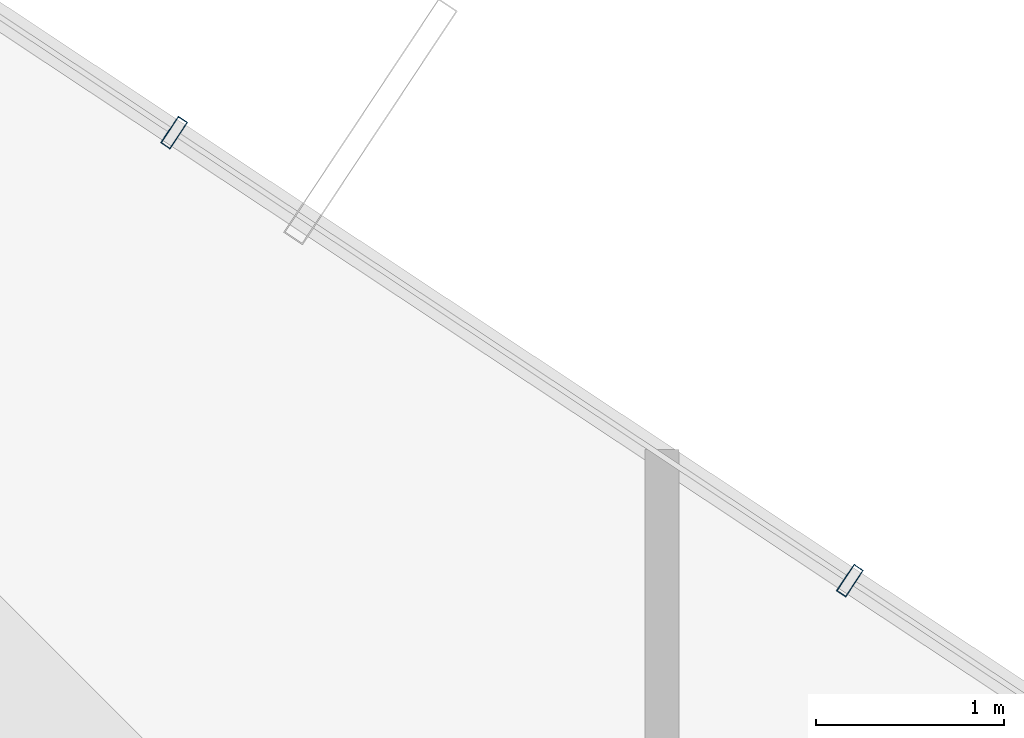
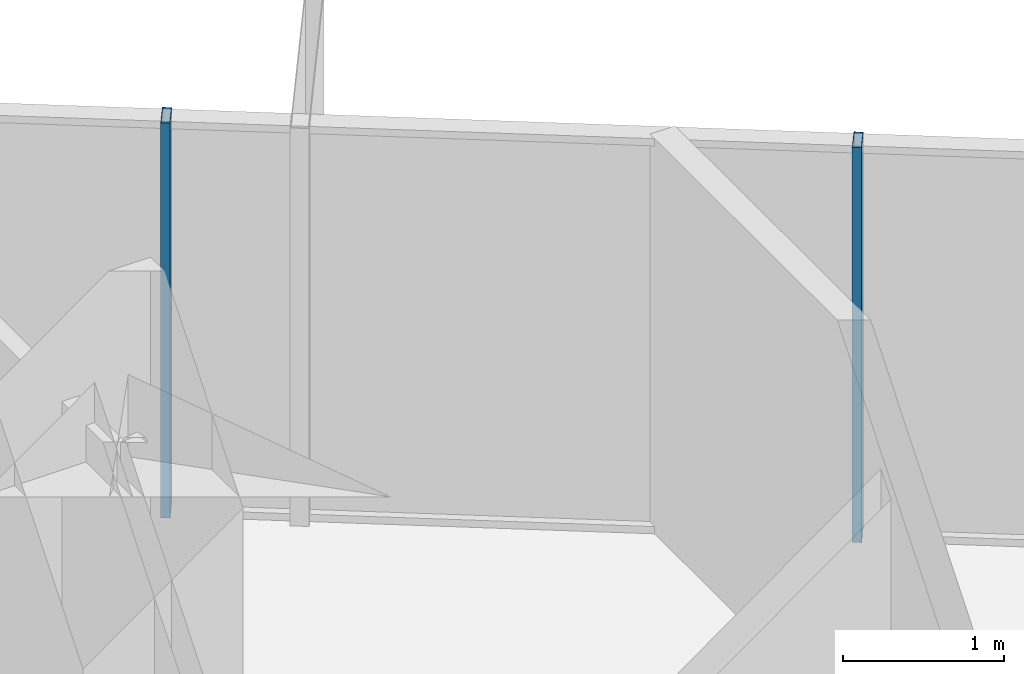
# One storey, part 21 of 30: 2 members, 1 element without a shape of its own.
"""IFC4 building model written with IfcOpenShell, lengths in metres."""

import ifcopenshell
import ifcopenshell.guid

model = None  # the IFC model being written
_history = None  # IfcOwnerHistory: only IFC2X3 demands one
_inside = {}  # id of a spatial element -> (the spatial element, [elements in it])
_under = {}  # id of a project, library or spatial element -> (it, [spatial elements below it])
_declared = {}  # id of a project -> (the project, [libraries it declares])
_typed = {}  # id of a type object -> (the type object, [elements of that type])
_made_of = {}  # id of a material, layer set ... -> (it, [elements and type objects made of it])


def new_model(schema):
    """Start an empty IFC model of exactly this schema.

    Asked for "IFC4X3", IfcOpenShell would pick the latest addendum, in which some entities
    have other attributes; the version numbers below select the first issue.
    IFC2X3 requires an IfcOwnerHistory on every rooted entity: one is made here for all.
    """
    global model, _history
    if schema == "IFC4X3":
        model = ifcopenshell.file(schema_version=(4, 3, 0, 0))
    else:
        model = ifcopenshell.file(schema=schema)
    _inside.clear()
    _under.clear()
    _declared.clear()
    _typed.clear()
    _made_of.clear()
    _history = None
    if model.schema == "IFC2X3":
        org = make("IfcOrganization", Name="unknown")
        user = make(
            "IfcPersonAndOrganization",
            ThePerson=make("IfcPerson", FamilyName="unknown"),
            TheOrganization=org,
        )
        app = make(
            "IfcApplication",
            ApplicationDeveloper=org,
            Version="unknown",
            ApplicationFullName="unknown",
            ApplicationIdentifier="unknown",
        )
        _history = make(
            "IfcOwnerHistory",
            OwningUser=user,
            OwningApplication=app,
            ChangeAction="ADDED",
            CreationDate=0,
        )
    return model


def make(cls, **values):
    """One entity of the class cls with the attributes given. An attribute that is None is left unset."""
    return model.create_entity(
        cls, **{name: value for name, value in values.items() if value is not None}
    )


def rooted(cls, **values):
    """An entity with a GlobalId (a new one), such as an element, a storey or a relation."""
    return make(cls, GlobalId=ifcopenshell.guid.new(), OwnerHistory=_history, **values)


def si_unit(unit_type, name, prefix=None):
    """IfcSIUnit, for example si_unit("LENGTHUNIT", "METRE", prefix="MILLI")."""
    return make("IfcSIUnit", UnitType=unit_type, Prefix=prefix, Name=name)


def assignment(units):
    """IfcUnitAssignment: the units of a project."""
    return None if units is None else make("IfcUnitAssignment", Units=units)


def point(xyz):
    """IfcCartesianPoint."""
    return None if xyz is None else make("IfcCartesianPoint", Coordinates=xyz)


def direction(xyz):
    """IfcDirection."""
    return None if xyz is None else make("IfcDirection", DirectionRatios=xyz)


def frame(location, z_axis=None, x_axis=None):
    """IfcAxis2Placement3D, a coordinate frame: its origin and axes. An axis left out is left unset."""
    return make(
        "IfcAxis2Placement3D",
        Location=point(location),
        Axis=direction(z_axis),
        RefDirection=direction(x_axis),
    )


def frame_2d(location, x_axis=None):
    """IfcAxis2Placement2D, a coordinate frame in the plane: its origin and x axis."""
    return make(
        "IfcAxis2Placement2D", Location=point(location), RefDirection=direction(x_axis)
    )


def origin():
    """The frame at (0, 0, 0) with its axes left unset."""
    return frame((0.0, 0.0, 0.0))


def origin_2d():
    """The frame at (0, 0) in the plane with its x axis left unset."""
    return frame_2d((0.0, 0.0))


def place(relative_to, where):
    """IfcLocalPlacement: puts the frame where relative to a parent placement (None: the world)."""
    return make(
        "IfcLocalPlacement", PlacementRelTo=relative_to, RelativePlacement=where
    )


def context(
    kind, dimensions, precision=None, world=None, true_north=None, identifier=None
):
    """IfcGeometricRepresentationContext, for example the 3D "Model" context."""
    return make(
        "IfcGeometricRepresentationContext",
        ContextIdentifier=identifier,
        ContextType=kind,
        CoordinateSpaceDimension=dimensions,
        Precision=precision,
        WorldCoordinateSystem=world,
        TrueNorth=true_north,
    )


def subcontext(parent, identifier, kind, view, scale=None):
    """IfcGeometricRepresentationSubContext, for example "Body" below "Model"."""
    return make(
        "IfcGeometricRepresentationSubContext",
        ContextIdentifier=identifier,
        ContextType=kind,
        ParentContext=parent,
        TargetScale=scale,
        TargetView=view,
    )


def project(units=None, contexts=None):
    """IfcProject with its units and contexts."""
    return rooted(
        "IfcProject",
        Name="project",
        RepresentationContexts=contexts,
        UnitsInContext=assignment(units),
    )


def spatial(cls, under=None, at=None, **own):
    """A site, building, storey or space (cls), placed at a placement, below another one or the project."""
    s = rooted(cls, ObjectPlacement=at, **own)
    if under is not None:
        _under.setdefault(under.id(), (under, []))[1].append(s)
    return s


def profile(cls, at=None, kind="AREA", **sizes):
    """A parametric profile (cls). Its sizes go by their IFC names, for example OverallWidth=200.0."""
    return make(cls, ProfileType=kind, Position=at, **sizes)


def hollow_rectangle(**sizes):
    """IfcRectangleHollowProfileDef."""
    return profile("IfcRectangleHollowProfileDef", **sizes)


def extrude(swept, where, along, depth):
    """IfcExtrudedAreaSolid: the profile swept, set in the frame where, extruded along a direction by depth."""
    return make(
        "IfcExtrudedAreaSolid",
        SweptArea=swept,
        Position=where,
        ExtrudedDirection=direction(along),
        Depth=depth,
    )


def shape(context_of_items, identifier, shape_type, items):
    """IfcShapeRepresentation: the items that make up one representation, for example the "Body"."""
    return make(
        "IfcShapeRepresentation",
        ContextOfItems=context_of_items,
        RepresentationIdentifier=identifier,
        RepresentationType=shape_type,
        Items=items,
    )


def source(mapping_origin, context_of_items, identifier, shape_type, items):
    """IfcRepresentationMap: a shape defined once, which mapped items show again and again."""
    return make(
        "IfcRepresentationMap",
        MappingOrigin=mapping_origin,
        MappedRepresentation=shape(context_of_items, identifier, shape_type, items),
    )


def transform(
    local_origin,
    x_axis=None,
    y_axis=None,
    z_axis=None,
    scale=None,
    scale2=None,
    scale3=None,
    uniform=True,
):
    """IfcCartesianTransformationOperator3D, or its non-uniform kind. x_axis, y_axis, z_axis: its Axis1, 2, 3."""
    if uniform:
        return make(
            "IfcCartesianTransformationOperator3D",
            Axis1=direction(x_axis),
            Axis2=direction(y_axis),
            LocalOrigin=point(local_origin),
            Scale=scale,
            Axis3=direction(z_axis),
        )
    return make(
        "IfcCartesianTransformationOperator3DnonUniform",
        Axis1=direction(x_axis),
        Axis2=direction(y_axis),
        LocalOrigin=point(local_origin),
        Scale=scale,
        Axis3=direction(z_axis),
        Scale2=scale2,
        Scale3=scale3,
    )


def mapped(mapping_source, mapping_target):
    """IfcMappedItem: shows the shape of a source again, moved by a transform."""
    return make(
        "IfcMappedItem", MappingSource=mapping_source, MappingTarget=mapping_target
    )


def material(Name=None, Category=None):
    """IfcMaterial."""
    return make("IfcMaterial", Name=Name, Category=Category)


def layer(
    of_material, thickness, ventilated=None, Name=None, Category=None, Priority=None
):
    """IfcMaterialLayer: one layer of a wall or slab, of a material (None: an air gap)."""
    return make(
        "IfcMaterialLayer",
        Material=of_material,
        LayerThickness=thickness,
        IsVentilated=ventilated,
        Name=Name,
        Category=Category,
        Priority=Priority,
    )


def layer_set(layers, Name=None):
    """IfcMaterialLayerSet."""
    return make("IfcMaterialLayerSet", MaterialLayers=layers, LayerSetName=Name)


def material_profile(
    of_material, cross_section, Name=None, Category=None, Priority=None
):
    """IfcMaterialProfile: a cross section and its material."""
    return make(
        "IfcMaterialProfile",
        Name=Name,
        Material=of_material,
        Profile=cross_section,
        Priority=Priority,
        Category=Category,
    )


def profile_set(profiles, Name=None, composite=None):
    """IfcMaterialProfileSet."""
    return make(
        "IfcMaterialProfileSet",
        Name=Name,
        MaterialProfiles=profiles,
        CompositeProfile=composite,
    )


def made_of(thing, what):
    """Note that an element or type object is made of a material, layer set ...; save() writes the relation."""
    if what is not None:
        _made_of.setdefault(what.id(), (what, []))[1].append(thing)
    return thing


def type_object(cls, material=None, **own):
    """A type object (cls), such as IfcWallType, which elements share."""
    return made_of(rooted(cls, **own), material)


def element(
    cls,
    number,
    at=None,
    inside=None,
    cuts=None,
    type_object=None,
    material=None,
    context=None,
    identifier="Body",
    shape_type=None,
    held_by="IfcProductDefinitionShape",
    body=None,
    shapes=None,
    **own,
):
    """One element of the class cls, such as IfcWall. Its Tag is "e" and its number.

    at: its placement. inside: the storey or other place that contains it. cuts: it is an
    opening in that element (IfcRelVoidsElement). A single representation is given by context,
    identifier, shape_type and body (its items); several are given by shapes. held_by: the class
    of the entity that holds the representations. save() writes the other relations.
    """
    e = rooted(cls, Tag="e%d" % number, ObjectPlacement=at, **own)
    if body is not None:
        shapes = [shape(context, identifier, shape_type, body)]
    if shapes is not None:
        e.Representation = make(held_by, Representations=shapes)
    if inside is not None:
        _inside.setdefault(inside.id(), (inside, []))[1].append(e)
    if cuts is not None:
        rooted(
            "IfcRelVoidsElement", RelatingBuildingElement=cuts, RelatedOpeningElement=e
        )
    if type_object is not None:
        _typed.setdefault(type_object.id(), (type_object, []))[1].append(e)
    return made_of(e, material)


def aggregate(whole, parts):
    """IfcRelAggregates: a whole, such as a stair, and the parts it consists of."""
    return rooted("IfcRelAggregates", RelatingObject=whole, RelatedObjects=parts)


def save(model, path):
    """Write the relations noted so far, then the file.

    IfcRelAggregates (storeys below a building ...), IfcRelContainedInSpatialStructure (elements
    in a storey), IfcRelDefinesByType, IfcRelAssociatesMaterial and IfcRelDeclares: one each for
    every whole, place, type object, material and project.
    """
    for whole, parts in _under.values():
        aggregate(whole, parts)
    for where, things in _inside.values():
        rooted(
            "IfcRelContainedInSpatialStructure",
            RelatedElements=things,
            RelatingStructure=where,
        )
    for kind, things in _typed.values():
        rooted("IfcRelDefinesByType", RelatedObjects=things, RelatingType=kind)
    for what, things in _made_of.values():
        rooted("IfcRelAssociatesMaterial", RelatedObjects=things, RelatingMaterial=what)
    for by, libraries in _declared.values():
        rooted("IfcRelDeclares", RelatingContext=by, RelatedDefinitions=libraries)
    model.write(path)


model = new_model("IFC4")

# Units and contexts
model_context = context("Model", 3, precision=1e-05, world=origin(), true_north=direction((0.0, 1.0)))
body_context = subcontext(model_context, "Body", "Model", "MODEL_VIEW")
ifc_project = project(units=[si_unit("LENGTHUNIT", "METRE"), si_unit("AREAUNIT", "SQUARE_METRE"), si_unit("VOLUMEUNIT", "CUBIC_METRE"), si_unit("PLANEANGLEUNIT", "RADIAN"), si_unit("MASSUNIT", "GRAM", prefix="KILO")], contexts=[model_context])

# Site, building, storey
site_placement = place(None, origin())
site = spatial("IfcSite", under=ifc_project, at=site_placement, CompositionType="ELEMENT")
building_placement = place(site_placement, origin())
building = spatial("IfcBuilding", under=site, at=building_placement, Name="Veraguas Prism Commons", CompositionType="ELEMENT")
storey_placement = place(building_placement, frame((0.0, 0.0, 116.5)))
storey = spatial("IfcBuildingStorey", under=building, at=storey_placement, Name="L32", CompositionType="ELEMENT", Elevation=116.5)

# Curtain wall, members
ifc_material = material(Name="Anodised aluminium EN AW-6063 T6", Category="aluminium")
ifc_layer = layer(ifc_material, 0.169921875, Name="Unitised Flush Curtain Wall Zone 2", Category="aluminium")
ifc_layer_set = layer_set([ifc_layer], Name="Anodised aluminium EN AW-6063 T6")
curtain_wall_type = type_object("IfcCurtainWallType", Name="Unitised Flush Curtain Wall Zone 2", PredefinedType="NOTDEFINED", material=ifc_layer_set)
curtain_wall_placement = place(storey_placement, origin())
curtain_wall = element("IfcCurtainWall", 1, at=curtain_wall_placement, inside=storey, type_object=curtain_wall_type, Name="Tower Facade Curtain Wall L32-F1", PredefinedType="NOTDEFINED")
ifc_material_profile = material_profile(ifc_material, hollow_rectangle(XDim=0.06005859375, YDim=0.169921875, WallThickness=0.00390625, at=origin_2d()), Name="AL60X170X4")
ifc_profile_set = profile_set([ifc_material_profile], Name="Anodised aluminium EN AW-6063 T6")
member_type = type_object("IfcMemberType", Name="Curtain Wall Mullion Lower AL 60x170x4", PredefinedType="MULLION", material=ifc_profile_set)
shared_shape = source(origin(), body_context, "Body", "SweptSolid", [
    extrude(hollow_rectangle(XDim=0.06005859375, YDim=0.169921875, WallThickness=0.00390625, at=origin_2d()), origin(), (0.0, 0.0, 1.0), 3.0),
])
member_1_placement = place(storey_placement, frame((34.5986328125, 39.988525390625, 0.0), z_axis=(0.0, 0.0, 1.0), x_axis=(-0.833504151469, 0.552513193945, 0.0)))
member_1 = element("IfcMember", 2, at=member_1_placement, type_object=member_type, Name="CW-Z2 Mullion 3", PredefinedType="MULLION", context=body_context, shape_type="MappedRepresentation", body=[
    mapped(shared_shape, transform((0.0, 0.0, 0.0), scale=1.0)),
])
member_2_placement = place(storey_placement, frame((31.00732421875, 42.369140625, 0.0), z_axis=(0.0, 0.0, 1.0), x_axis=(-0.833504151469, 0.552513193945, 0.0)))
member_2 = element("IfcMember", 3, at=member_2_placement, type_object=member_type, Name="CW-Z2 Mullion 4", PredefinedType="MULLION", context=body_context, shape_type="MappedRepresentation", body=[
    mapped(shared_shape, transform((0.0, 0.0, 0.0), scale=1.0)),
])
aggregate(curtain_wall, [member_1, member_2])

save(model, "model.ifc")
